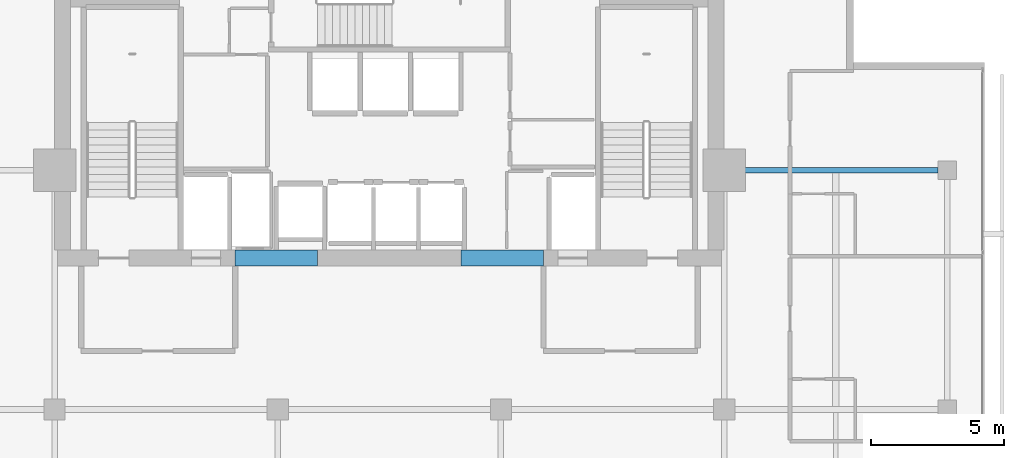
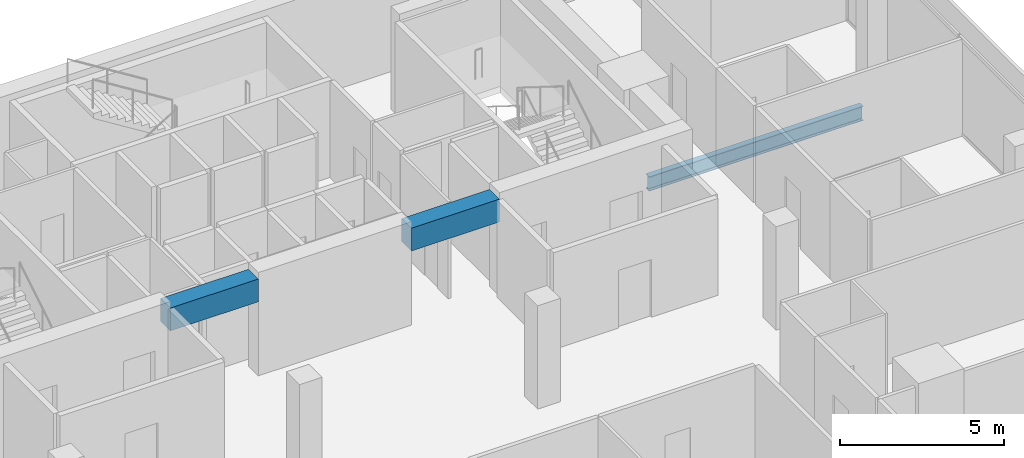
# One storey, part 17 of 25: 3 beams.
"""IFC4 building model written with IfcOpenShell, lengths in metres."""

import ifcopenshell
import ifcopenshell.guid

model = None  # the IFC model being written
_history = None  # IfcOwnerHistory: only IFC2X3 demands one
_inside = {}  # id of a spatial element -> (the spatial element, [elements in it])
_under = {}  # id of a project, library or spatial element -> (it, [spatial elements below it])
_declared = {}  # id of a project -> (the project, [libraries it declares])
_typed = {}  # id of a type object -> (the type object, [elements of that type])
_made_of = {}  # id of a material, layer set ... -> (it, [elements and type objects made of it])


def new_model(schema):
    """Start an empty IFC model of exactly this schema.

    Asked for "IFC4X3", IfcOpenShell would pick the latest addendum, in which some entities
    have other attributes; the version numbers below select the first issue.
    IFC2X3 requires an IfcOwnerHistory on every rooted entity: one is made here for all.
    """
    global model, _history
    if schema == "IFC4X3":
        model = ifcopenshell.file(schema_version=(4, 3, 0, 0))
    else:
        model = ifcopenshell.file(schema=schema)
    _inside.clear()
    _under.clear()
    _declared.clear()
    _typed.clear()
    _made_of.clear()
    _history = None
    if model.schema == "IFC2X3":
        org = make("IfcOrganization", Name="unknown")
        user = make(
            "IfcPersonAndOrganization",
            ThePerson=make("IfcPerson", FamilyName="unknown"),
            TheOrganization=org,
        )
        app = make(
            "IfcApplication",
            ApplicationDeveloper=org,
            Version="unknown",
            ApplicationFullName="unknown",
            ApplicationIdentifier="unknown",
        )
        _history = make(
            "IfcOwnerHistory",
            OwningUser=user,
            OwningApplication=app,
            ChangeAction="ADDED",
            CreationDate=0,
        )
    return model


def make(cls, **values):
    """One entity of the class cls with the attributes given. An attribute that is None is left unset."""
    return model.create_entity(
        cls, **{name: value for name, value in values.items() if value is not None}
    )


def rooted(cls, **values):
    """An entity with a GlobalId (a new one), such as an element, a storey or a relation."""
    return make(cls, GlobalId=ifcopenshell.guid.new(), OwnerHistory=_history, **values)


def si_unit(unit_type, name, prefix=None):
    """IfcSIUnit, for example si_unit("LENGTHUNIT", "METRE", prefix="MILLI")."""
    return make("IfcSIUnit", UnitType=unit_type, Prefix=prefix, Name=name)


def assignment(units):
    """IfcUnitAssignment: the units of a project."""
    return None if units is None else make("IfcUnitAssignment", Units=units)


def point(xyz):
    """IfcCartesianPoint."""
    return None if xyz is None else make("IfcCartesianPoint", Coordinates=xyz)


def direction(xyz):
    """IfcDirection."""
    return None if xyz is None else make("IfcDirection", DirectionRatios=xyz)


def frame(location, z_axis=None, x_axis=None):
    """IfcAxis2Placement3D, a coordinate frame: its origin and axes. An axis left out is left unset."""
    return make(
        "IfcAxis2Placement3D",
        Location=point(location),
        Axis=direction(z_axis),
        RefDirection=direction(x_axis),
    )


def frame_2d(location, x_axis=None):
    """IfcAxis2Placement2D, a coordinate frame in the plane: its origin and x axis."""
    return make(
        "IfcAxis2Placement2D", Location=point(location), RefDirection=direction(x_axis)
    )


def origin():
    """The frame at (0, 0, 0) with its axes left unset."""
    return frame((0.0, 0.0, 0.0))


def origin_2d():
    """The frame at (0, 0) in the plane with its x axis left unset."""
    return frame_2d((0.0, 0.0))


def place(relative_to, where):
    """IfcLocalPlacement: puts the frame where relative to a parent placement (None: the world)."""
    return make(
        "IfcLocalPlacement", PlacementRelTo=relative_to, RelativePlacement=where
    )


def context(
    kind, dimensions, precision=None, world=None, true_north=None, identifier=None
):
    """IfcGeometricRepresentationContext, for example the 3D "Model" context."""
    return make(
        "IfcGeometricRepresentationContext",
        ContextIdentifier=identifier,
        ContextType=kind,
        CoordinateSpaceDimension=dimensions,
        Precision=precision,
        WorldCoordinateSystem=world,
        TrueNorth=true_north,
    )


def subcontext(parent, identifier, kind, view, scale=None):
    """IfcGeometricRepresentationSubContext, for example "Body" below "Model"."""
    return make(
        "IfcGeometricRepresentationSubContext",
        ContextIdentifier=identifier,
        ContextType=kind,
        ParentContext=parent,
        TargetScale=scale,
        TargetView=view,
    )


def project(units=None, contexts=None):
    """IfcProject with its units and contexts."""
    return rooted(
        "IfcProject",
        Name="project",
        RepresentationContexts=contexts,
        UnitsInContext=assignment(units),
    )


def spatial(cls, under=None, at=None, **own):
    """A site, building, storey or space (cls), placed at a placement, below another one or the project."""
    s = rooted(cls, ObjectPlacement=at, **own)
    if under is not None:
        _under.setdefault(under.id(), (under, []))[1].append(s)
    return s


def profile(cls, at=None, kind="AREA", **sizes):
    """A parametric profile (cls). Its sizes go by their IFC names, for example OverallWidth=200.0."""
    return make(cls, ProfileType=kind, Position=at, **sizes)


def rectangle(**sizes):
    """IfcRectangleProfileDef."""
    return profile("IfcRectangleProfileDef", **sizes)


def i_section(**sizes):
    """IfcIShapeProfileDef."""
    return profile("IfcIShapeProfileDef", **sizes)


def extrude(swept, where, along, depth):
    """IfcExtrudedAreaSolid: the profile swept, set in the frame where, extruded along a direction by depth."""
    return make(
        "IfcExtrudedAreaSolid",
        SweptArea=swept,
        Position=where,
        ExtrudedDirection=direction(along),
        Depth=depth,
    )


def shape(context_of_items, identifier, shape_type, items):
    """IfcShapeRepresentation: the items that make up one representation, for example the "Body"."""
    return make(
        "IfcShapeRepresentation",
        ContextOfItems=context_of_items,
        RepresentationIdentifier=identifier,
        RepresentationType=shape_type,
        Items=items,
    )


def material(Name=None, Category=None):
    """IfcMaterial."""
    return make("IfcMaterial", Name=Name, Category=Category)


def material_profile(
    of_material, cross_section, Name=None, Category=None, Priority=None
):
    """IfcMaterialProfile: a cross section and its material."""
    return make(
        "IfcMaterialProfile",
        Name=Name,
        Material=of_material,
        Profile=cross_section,
        Priority=Priority,
        Category=Category,
    )


def profile_set(profiles, Name=None, composite=None):
    """IfcMaterialProfileSet."""
    return make(
        "IfcMaterialProfileSet",
        Name=Name,
        MaterialProfiles=profiles,
        CompositeProfile=composite,
    )


def made_of(thing, what):
    """Note that an element or type object is made of a material, layer set ...; save() writes the relation."""
    if what is not None:
        _made_of.setdefault(what.id(), (what, []))[1].append(thing)
    return thing


def type_object(cls, material=None, **own):
    """A type object (cls), such as IfcWallType, which elements share."""
    return made_of(rooted(cls, **own), material)


def element(
    cls,
    number,
    at=None,
    inside=None,
    cuts=None,
    type_object=None,
    material=None,
    context=None,
    identifier="Body",
    shape_type=None,
    held_by="IfcProductDefinitionShape",
    body=None,
    shapes=None,
    **own,
):
    """One element of the class cls, such as IfcWall. Its Tag is "e" and its number.

    at: its placement. inside: the storey or other place that contains it. cuts: it is an
    opening in that element (IfcRelVoidsElement). A single representation is given by context,
    identifier, shape_type and body (its items); several are given by shapes. held_by: the class
    of the entity that holds the representations. save() writes the other relations.
    """
    e = rooted(cls, Tag="e%d" % number, ObjectPlacement=at, **own)
    if body is not None:
        shapes = [shape(context, identifier, shape_type, body)]
    if shapes is not None:
        e.Representation = make(held_by, Representations=shapes)
    if inside is not None:
        _inside.setdefault(inside.id(), (inside, []))[1].append(e)
    if cuts is not None:
        rooted(
            "IfcRelVoidsElement", RelatingBuildingElement=cuts, RelatedOpeningElement=e
        )
    if type_object is not None:
        _typed.setdefault(type_object.id(), (type_object, []))[1].append(e)
    return made_of(e, material)


def aggregate(whole, parts):
    """IfcRelAggregates: a whole, such as a stair, and the parts it consists of."""
    return rooted("IfcRelAggregates", RelatingObject=whole, RelatedObjects=parts)


def save(model, path):
    """Write the relations noted so far, then the file.

    IfcRelAggregates (storeys below a building ...), IfcRelContainedInSpatialStructure (elements
    in a storey), IfcRelDefinesByType, IfcRelAssociatesMaterial and IfcRelDeclares: one each for
    every whole, place, type object, material and project.
    """
    for whole, parts in _under.values():
        aggregate(whole, parts)
    for where, things in _inside.values():
        rooted(
            "IfcRelContainedInSpatialStructure",
            RelatedElements=things,
            RelatingStructure=where,
        )
    for kind, things in _typed.values():
        rooted("IfcRelDefinesByType", RelatedObjects=things, RelatingType=kind)
    for what, things in _made_of.values():
        rooted("IfcRelAssociatesMaterial", RelatedObjects=things, RelatingMaterial=what)
    for by, libraries in _declared.values():
        rooted("IfcRelDeclares", RelatingContext=by, RelatedDefinitions=libraries)
    model.write(path)


model = new_model("IFC4")

# Units and contexts
model_context = context("Model", 3, precision=1e-05, world=origin(), true_north=direction((0.0, 1.0)))
body_context = subcontext(model_context, "Body", "Model", "MODEL_VIEW")
ifc_project = project(units=[si_unit("LENGTHUNIT", "METRE"), si_unit("AREAUNIT", "SQUARE_METRE"), si_unit("VOLUMEUNIT", "CUBIC_METRE"), si_unit("PLANEANGLEUNIT", "RADIAN"), si_unit("MASSUNIT", "GRAM", prefix="KILO")], contexts=[model_context])

# Site, building, storey
site_placement = place(None, origin())
site = spatial("IfcSite", under=ifc_project, at=site_placement, CompositionType="ELEMENT")
building_placement = place(site_placement, origin())
building = spatial("IfcBuilding", under=site, at=building_placement, Name="Maruvema Waterfront Hotel and Observation Tower", CompositionType="ELEMENT")
storey_placement = place(building_placement, frame((0.0, 0.0, 262.5)))
storey = spatial("IfcBuildingStorey", under=building, at=storey_placement, Name="L64", CompositionType="ELEMENT", Elevation=262.5)

# Beams
ifc_material_1 = material(Name="Concrete C60/75", Category="concrete")
ifc_material_profile_1 = material_profile(ifc_material_1, rectangle(XDim=0.60009765625, YDim=0.85009765625, at=origin_2d()), Name="CB600x850")
ifc_profile_set_1 = profile_set([ifc_material_profile_1], Name="Concrete C60/75")
beam_type_1 = type_object("IfcBeamType", Name="Core Coupling Lintel Beam CB600x850", PredefinedType="LINTEL", material=ifc_profile_set_1)
for number, where, z_axis, x_axis, name in (
    (1, (32.0, 41.699951171875, 3.18505859375), (1.0, 0.0, 0.0), (0.0, 1.0, 0.0), "L64 Core Coupling Lintel Beam West"),
    (2, (40.5, 41.699951171875, 3.18505859375), (1.0, 0.0, 0.0), (0.0, 1.0, 0.0), "L64 Core Coupling Lintel Beam East"),
):
    element("IfcBeam", number, at=place(storey_placement, frame(where, z_axis=z_axis, x_axis=x_axis)), inside=storey, type_object=beam_type_1, Name=name, PredefinedType="LINTEL", context=body_context, shape_type="SweptSolid", body=[
        extrude(rectangle(XDim=0.60009765625, YDim=0.85009765625, at=origin_2d()), origin(), (0.0, 0.0, 1.0), 3.10009765625),
    ])
ifc_material_2 = material(Name="Steel ASTM A572 Grade 50", Category="steel")
ifc_material_profile_2 = material_profile(ifc_material_2, i_section(OverallWidth=0.208984375, OverallDepth=0.532958984375, WebThickness=0.01025390625, FlangeThickness=0.015625, FilletRadius=0.014892578125, at=origin_2d()), Name="W530x92.0")
ifc_profile_set_2 = profile_set([ifc_material_profile_2], Name="Steel ASTM A572 Grade 50")
beam_type_2 = type_object("IfcBeamType", Name="Primary Floor Girder W530x92.0", PredefinedType="BEAM", material=ifc_profile_set_2)
beam_placement = place(storey_placement, frame((50.89990234375, 45.0, -0.506591796875), z_axis=(1.0, 0.0, 0.0), x_axis=(0.0, 1.0, 0.0)))
element("IfcBeam", 3, at=beam_placement, inside=storey, type_object=beam_type_2, Name="L64 Floor Girder EW-18", PredefinedType="BEAM", context=body_context, shape_type="SweptSolid", body=[
    extrude(i_section(OverallWidth=0.208984375, OverallDepth=0.532958984375, WebThickness=0.01025390625, FlangeThickness=0.015625, FilletRadius=0.014892578125, at=origin_2d()), origin(), (0.0, 0.0, 1.0), 7.550048828125),
])

save(model, "model.ifc")
